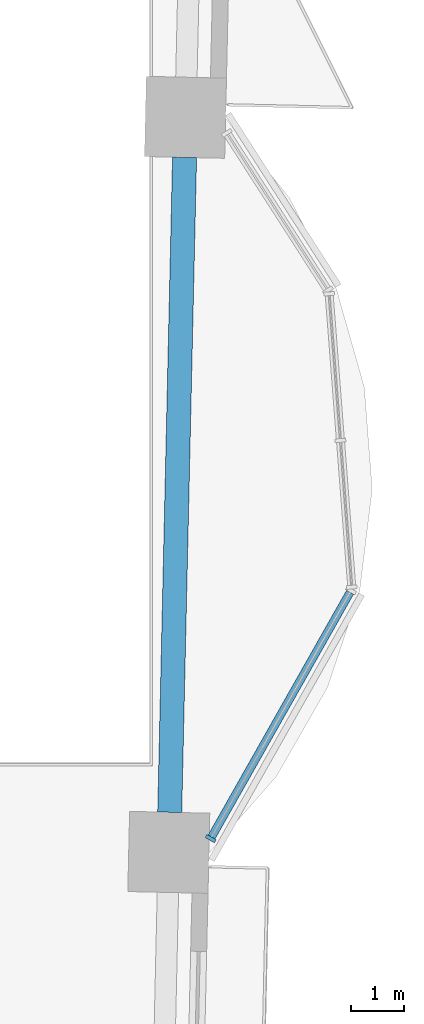
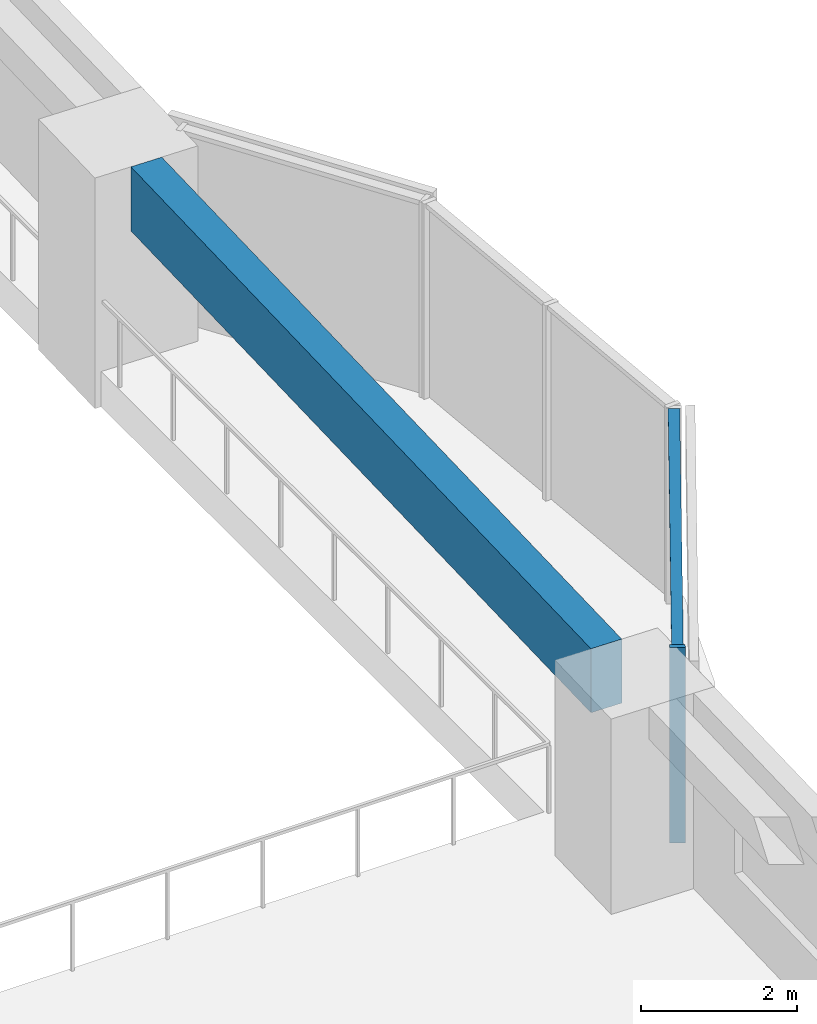
# One storey, part 2 of 20: 2 members, 1 beam, 1 element without a shape of its own.
"""IFC4 building model written with IfcOpenShell, lengths in metres."""

from ifc_helpers import new_model, si_unit, direction, frame, origin, origin_2d, place, context, subcontext, project, spatial, rectangle, extrude, material, material_profile, profile_set, type_object, element, aggregate, save


model = new_model("IFC4")

# Units and contexts
model_context = context("Model", 3, precision=1e-05, world=origin(), true_north=direction((0.0, 1.0)))
body_context = subcontext(model_context, "Body", "Model", "MODEL_VIEW")
ifc_project = project(units=[si_unit("LENGTHUNIT", "METRE"), si_unit("AREAUNIT", "SQUARE_METRE"), si_unit("VOLUMEUNIT", "CUBIC_METRE"), si_unit("PLANEANGLEUNIT", "RADIAN"), si_unit("MASSUNIT", "GRAM", prefix="KILO")], contexts=[model_context])

# Site, building, storey
site_placement = place(None, origin())
site = spatial("IfcSite", under=ifc_project, at=site_placement, CompositionType="ELEMENT")
building_placement = place(site_placement, origin())
building = spatial("IfcBuilding", under=site, at=building_placement, Name="Mangrove Gate Tower", CompositionType="ELEMENT")
storey_placement = place(building_placement, frame((0.0, 0.0, 60.300048828125)))
storey = spatial("IfcBuildingStorey", under=building, at=storey_placement, Name="L14", CompositionType="ELEMENT", Elevation=60.300048828125)

# Curtain wall, members
ifc_material_1 = material(Name="Aluminium and glass curtain wall", Category="aluminium")
curtain_wall_type = type_object("IfcCurtainWallType", Name="Atrium garden-court glazing wall", PredefinedType="NOTDEFINED", material=ifc_material_1)
curtain_wall_placement = place(storey_placement, origin())
curtain_wall = element("IfcCurtainWall", 1, at=curtain_wall_placement, inside=storey, type_object=curtain_wall_type, Name="Atrium garden-court glazing E1f1", PredefinedType="NOTDEFINED")
ifc_material_2 = material(Name="Aluminium alloy 6063-T6", Category="aluminium")
ifc_material_profile_1 = material_profile(ifc_material_2, rectangle(XDim=0.070068359375, YDim=0.199951171875, at=origin_2d()))
ifc_profile_set_1 = profile_set([ifc_material_profile_1], Name="Aluminium alloy 6063-T6")
member_type_1 = type_object("IfcMemberType", Name="Atrium garden-court glazing mullion 70x200", PredefinedType="MULLION", material=ifc_profile_set_1)
member_1_placement = place(storey_placement, frame((31.036865234375, -8.91943359375, 0.0), z_axis=(0.0, 0.0, 1.0), x_axis=(0.492603686489, 0.870253760726, 0.0)))
member_1 = element("IfcMember", 2, at=member_1_placement, type_object=member_type_1, Name="CWA mullion 1", PredefinedType="MULLION", context=body_context, shape_type="SweptSolid", body=[
    extrude(rectangle(XDim=0.070068359375, YDim=0.199951171875, at=origin_2d()), origin(), (0.0, 0.0, 1.0), 3.050048828125),
])
ifc_material_3 = material(Name="Aluminium alloy 6063-T6", Category="aluminium")
ifc_material_profile_2 = material_profile(ifc_material_3, rectangle(XDim=0.070068359375, YDim=0.14990234375, at=origin_2d()))
ifc_profile_set_2 = profile_set([ifc_material_profile_2], Name="Aluminium alloy 6063-T6")
member_type_2 = type_object("IfcMemberType", Name="Atrium garden-court glazing transom 70x150", PredefinedType="USERDEFINED", material=ifc_profile_set_2)
member_2_placement = place(storey_placement, frame((31.053955078125, -8.88916015625, 3.014892578125), z_axis=(0.492620111865, 0.870244463002, 0.0), x_axis=(0.0, 0.0, 1.0)))
member_2 = element("IfcMember", 3, at=member_2_placement, type_object=member_type_2, Name="CWA transom 1.2", ObjectType="TRANSOM", PredefinedType="USERDEFINED", context=body_context, shape_type="SweptSolid", body=[
    extrude(rectangle(XDim=0.070068359375, YDim=0.14990234375, at=origin_2d()), origin(), (0.0, 0.0, 1.0), 5.2587890625),
])
aggregate(curtain_wall, [member_1, member_2])

# Beam
ifc_material_4 = material(Name="Concrete C50/60", Category="concrete")
ifc_material_profile_3 = material_profile(ifc_material_4, rectangle(XDim=0.449951171875, YDim=1.0, at=origin_2d()))
ifc_profile_set_3 = profile_set([ifc_material_profile_3], Name="Concrete C50/60")
beam_type = type_object("IfcBeamType", Name="Edge beam RC 450x1000 C50/60", PredefinedType="BEAM", material=ifc_profile_set_3)
beam_placement = place(storey_placement, frame((30.271240234375, -8.42724609375, 2.550048828125), z_axis=(0.022678852378, 0.999742801752, 0.0), x_axis=(-0.999742801752, 0.022678852378, 0.0)))
element("IfcBeam", 4, at=beam_placement, inside=storey, type_object=beam_type, Name="Edge beam L14 16", PredefinedType="BEAM", context=body_context, shape_type="SweptSolid", body=[
    extrude(rectangle(XDim=0.449951171875, YDim=1.0, at=origin_2d()), origin(), (0.0, 0.0, 1.0), 12.250732421875),
])

save(model, "model.ifc")
